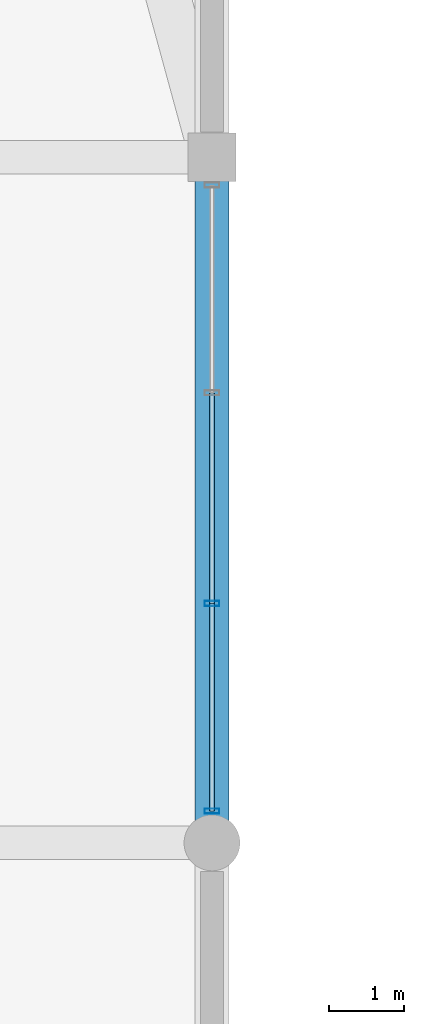
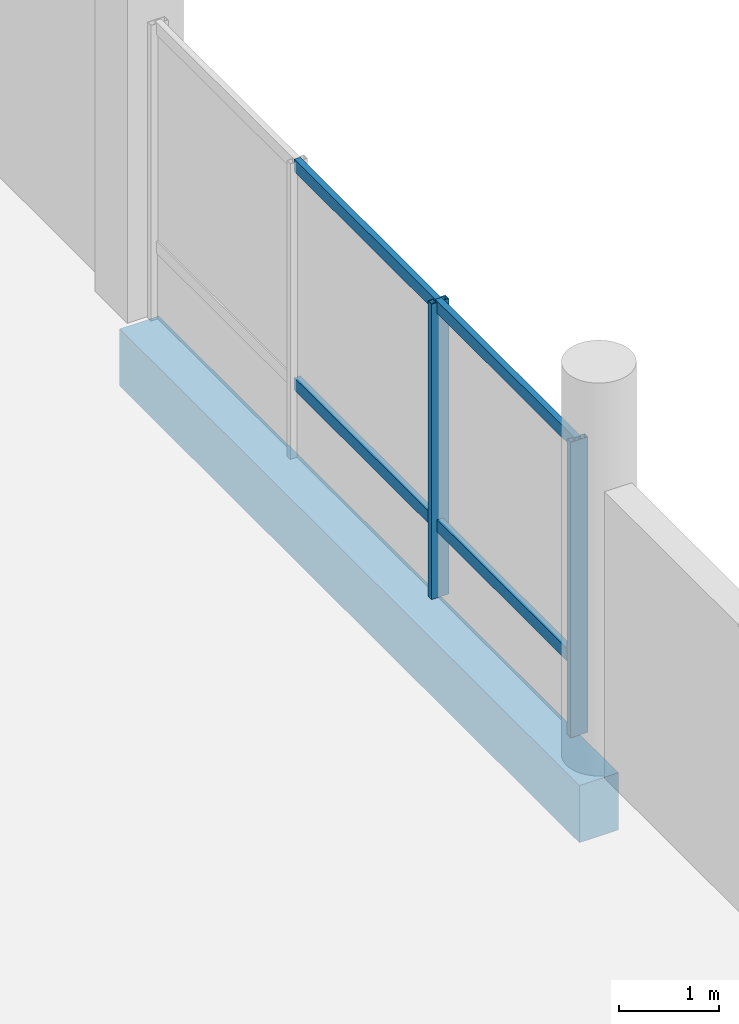
# One storey, part 21 of 71: 6 members, 1 beam, 1 element without a shape of its own.
"""IFC4 building model written with IfcOpenShell, lengths in metres."""

from ifc_helpers import new_model, si_unit, direction, frame, origin, origin_2d, place, context, subcontext, project, spatial, rectangle, hollow_rectangle, extrude, material, layer, layer_set, material_profile, profile_set, type_object, element, aggregate, save


model = new_model("IFC4")

# Units and contexts
model_context = context("Model", 3, precision=1e-05, world=origin(), true_north=direction((0.0, 1.0)))
body_context = subcontext(model_context, "Body", "Model", "MODEL_VIEW")
ifc_project = project(units=[si_unit("LENGTHUNIT", "METRE"), si_unit("AREAUNIT", "SQUARE_METRE"), si_unit("VOLUMEUNIT", "CUBIC_METRE"), si_unit("PLANEANGLEUNIT", "RADIAN"), si_unit("MASSUNIT", "GRAM", prefix="KILO")], contexts=[model_context])

# Site, building, storey
site_placement = place(None, origin())
site = spatial("IfcSite", under=ifc_project, at=site_placement, CompositionType="ELEMENT")
building_placement = place(site_placement, origin())
building = spatial("IfcBuilding", under=site, at=building_placement, Name="Meriwether Solvik Hall", CompositionType="ELEMENT")
storey_placement = place(building_placement, frame((0.0, 0.0, 5.10009765625)))
storey = spatial("IfcBuildingStorey", under=building, at=storey_placement, Name="L01", CompositionType="ELEMENT", Elevation=5.10009765625)

# Beam
ifc_material_1 = material(Name="Concrete C40/50", Category="concrete")
ifc_material_profile_1 = material_profile(ifc_material_1, rectangle(XDim=0.449951171875, YDim=0.699951171875, at=origin_2d()), Name="RCB-450X700")
ifc_profile_set_1 = profile_set([ifc_material_profile_1], Name="Concrete C40/50")
beam_type = type_object("IfcBeamType", Name="BM-RC-450X700", PredefinedType="BEAM", material=ifc_profile_set_1)
beam_placement = place(storey_placement, frame((114.199951171875, 32.0, -0.650146484375), z_axis=(0.0, 1.0, 0.0), x_axis=(-1.0, 0.0, 0.0)))
element("IfcBeam", 1, at=beam_placement, inside=storey, type_object=beam_type, Name="Podium Girder 13:D-E (L01)", PredefinedType="BEAM", context=body_context, shape_type="SweptSolid", body=[
    extrude(rectangle(XDim=0.449951171875, YDim=0.699951171875, at=origin_2d()), origin(), (0.0, 0.0, 1.0), 9.199951171875),
])

# Curtain wall, members
ifc_material_2 = material(Name="Thermally Broken Anodised Aluminium 6063-T6 and Low-E Glass", Category="aluminium")
ifc_layer = layer(ifc_material_2, 0.179931640625)
ifc_layer_set = layer_set([ifc_layer], Name="Thermally Broken Anodised Aluminium 6063-T6 and Low-E Glass")
curtain_wall_type = type_object("IfcCurtainWallType", Name="CW-SF-POD-B", PredefinedType="USERDEFINED", material=ifc_layer_set)
curtain_wall_placement = place(storey_placement, origin())
curtain_wall = element("IfcCurtainWall", 2, at=curtain_wall_placement, inside=storey, type_object=curtain_wall_type, Name="Curtain Wall wing_Y13_4_52 (L01)", ObjectType="STICK STOREFRONT GLAZING", PredefinedType="USERDEFINED")
ifc_material_3 = material(Name="Anodised Aluminium 6063-T6", Category="aluminium")
ifc_material_profile_2 = material_profile(ifc_material_3, hollow_rectangle(XDim=0.070068359375, YDim=0.199951171875, WallThickness=0.0048828125, at=origin_2d()), Name="CWM-70X200")
ifc_profile_set_2 = profile_set([ifc_material_profile_2], Name="Anodised Aluminium 6063-T6")
member_type_1 = type_object("IfcMemberType", Name="CW-MUL-70X200", PredefinedType="MULLION", material=ifc_profile_set_2)
member_1_placement = place(storey_placement, frame((114.199951171875, 35.21240234375, 0.0), z_axis=(0.0, 0.0, 1.0), x_axis=(0.0, -1.0, 0.0)))
member_1 = element("IfcMember", 3, at=member_1_placement, type_object=member_type_1, Name="Curtain Wall Mullion 3", PredefinedType="MULLION", context=body_context, shape_type="SweptSolid", body=[
    extrude(hollow_rectangle(XDim=0.070068359375, YDim=0.199951171875, WallThickness=0.0048828125, at=origin_2d()), origin(), (0.0, 0.0, 1.0), 3.60986328125),
])
member_2_placement = place(storey_placement, frame((114.199951171875, 32.425048828125, 0.0), z_axis=(0.0, 0.0, 1.0), x_axis=(0.0, -1.0, 0.0)))
member_2 = element("IfcMember", 4, at=member_2_placement, type_object=member_type_1, Name="Curtain Wall Mullion 4", PredefinedType="MULLION", context=body_context, shape_type="SweptSolid", body=[
    extrude(hollow_rectangle(XDim=0.070068359375, YDim=0.199951171875, WallThickness=0.0048828125, at=origin_2d()), origin(), (0.0, 0.0, 1.0), 3.60986328125),
])
ifc_material_4 = material(Name="Anodised Aluminium 6063-T6", Category="aluminium")
ifc_material_profile_3 = material_profile(ifc_material_4, hollow_rectangle(XDim=0.070068359375, YDim=0.14990234375, WallThickness=0.0048828125, at=origin_2d()), Name="CWT-70X150")
ifc_profile_set_3 = profile_set([ifc_material_profile_3], Name="Anodised Aluminium 6063-T6")
member_type_2 = type_object("IfcMemberType", Name="CW-TRN-70X150", PredefinedType="USERDEFINED", material=ifc_profile_set_3)
member_3_placement = place(storey_placement, frame((114.199951171875, 38.03759765625, 0.8798828125), z_axis=(0.0, -1.0, 0.0), x_axis=(1.0, 0.0, 0.0)))
member_3 = element("IfcMember", 5, at=member_3_placement, type_object=member_type_2, Name="Curtain Wall Transom 2-sill", ObjectType="TRANSOM", PredefinedType="USERDEFINED", context=body_context, shape_type="SweptSolid", body=[
    extrude(hollow_rectangle(XDim=0.070068359375, YDim=0.14990234375, WallThickness=0.0048828125, at=origin_2d()), origin(), (0.0, 0.0, 1.0), 2.8251953125),
])
member_4_placement = place(storey_placement, frame((114.199951171875, 38.03759765625, 3.5498046875), z_axis=(0.0, -1.0, 0.0), x_axis=(1.0, 0.0, 0.0)))
member_4 = element("IfcMember", 6, at=member_4_placement, type_object=member_type_2, Name="Curtain Wall Transom 2-head", ObjectType="TRANSOM", PredefinedType="USERDEFINED", context=body_context, shape_type="SweptSolid", body=[
    extrude(hollow_rectangle(XDim=0.070068359375, YDim=0.14990234375, WallThickness=0.0048828125, at=origin_2d()), origin(), (0.0, 0.0, 1.0), 2.8251953125),
])
member_5_placement = place(storey_placement, frame((114.199951171875, 35.21240234375, 0.8798828125), z_axis=(0.0, -1.0, 0.0), x_axis=(1.0, 0.0, 0.0)))
member_5 = element("IfcMember", 7, at=member_5_placement, type_object=member_type_2, Name="Curtain Wall Transom 3-sill", ObjectType="TRANSOM", PredefinedType="USERDEFINED", context=body_context, shape_type="SweptSolid", body=[
    extrude(hollow_rectangle(XDim=0.070068359375, YDim=0.14990234375, WallThickness=0.0048828125, at=origin_2d()), origin(), (0.0, 0.0, 1.0), 2.787353515625),
])
member_6_placement = place(storey_placement, frame((114.199951171875, 35.21240234375, 3.5498046875), z_axis=(0.0, -1.0, 0.0), x_axis=(1.0, 0.0, 0.0)))
member_6 = element("IfcMember", 8, at=member_6_placement, type_object=member_type_2, Name="Curtain Wall Transom 3-head", ObjectType="TRANSOM", PredefinedType="USERDEFINED", context=body_context, shape_type="SweptSolid", body=[
    extrude(hollow_rectangle(XDim=0.070068359375, YDim=0.14990234375, WallThickness=0.0048828125, at=origin_2d()), origin(), (0.0, 0.0, 1.0), 2.787353515625),
])
aggregate(curtain_wall, [member_1, member_2, member_3, member_4, member_5, member_6])

save(model, "model.ifc")
